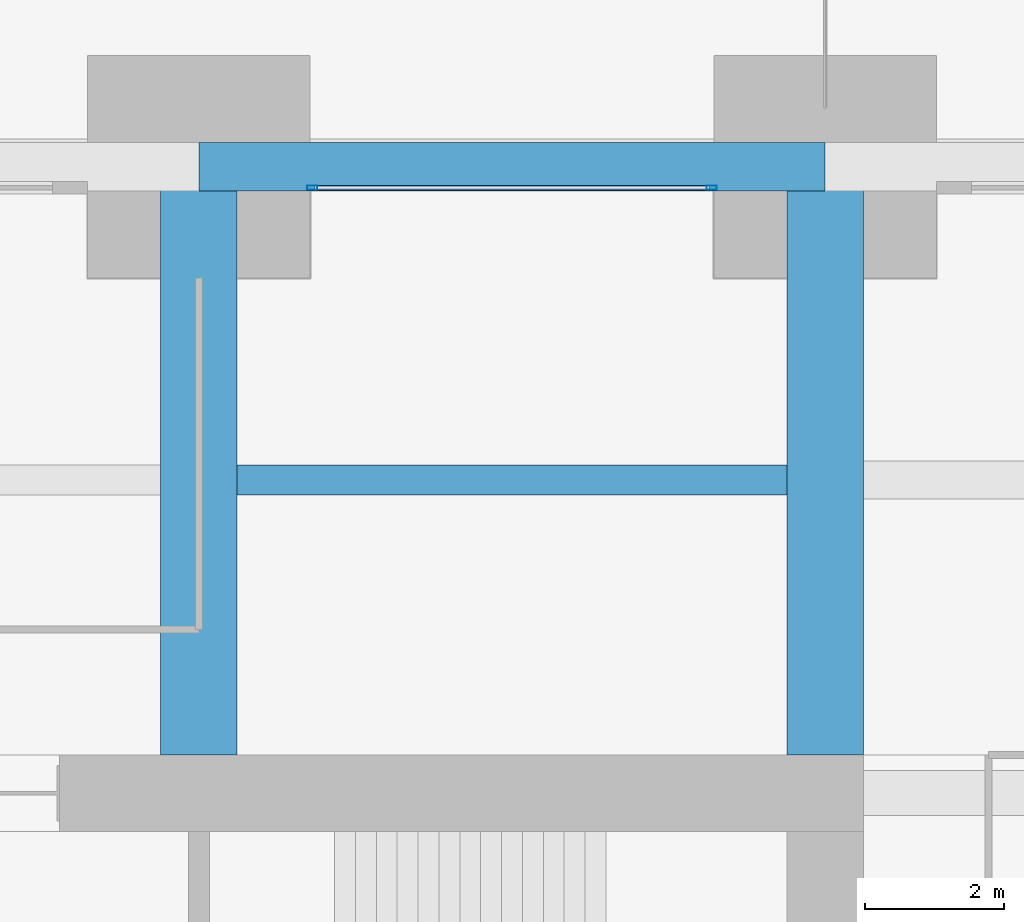
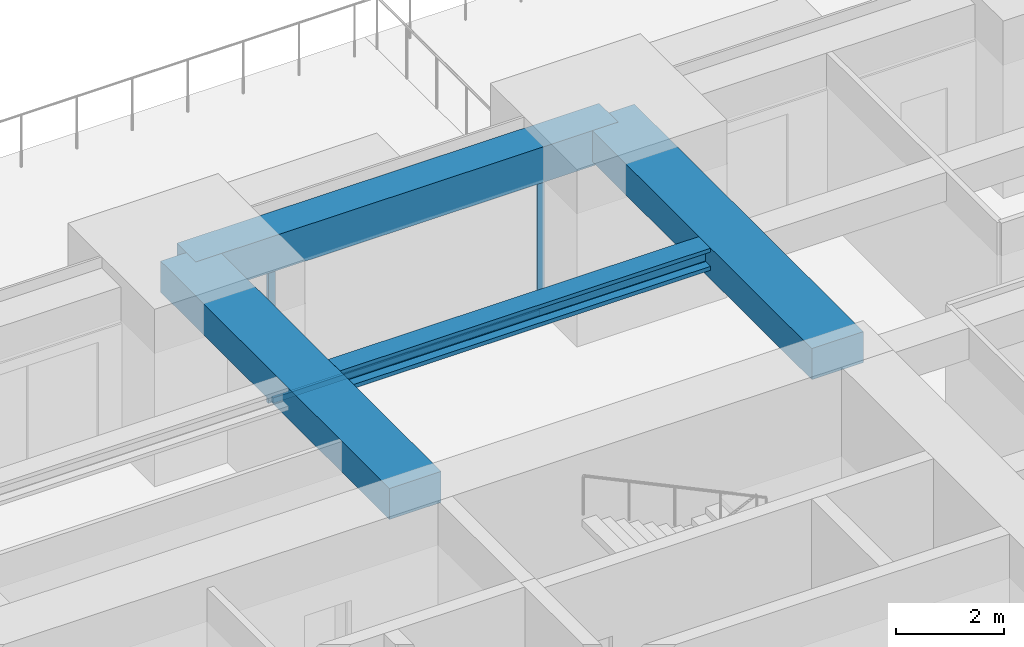
# One storey, part 30 of 50: 4 beams, 3 members, 1 element without a shape of its own.
"""IFC4 building model written with IfcOpenShell, lengths in metres."""

import ifcopenshell
import ifcopenshell.guid

model = None  # the IFC model being written
_history = None  # IfcOwnerHistory: only IFC2X3 demands one
_inside = {}  # id of a spatial element -> (the spatial element, [elements in it])
_under = {}  # id of a project, library or spatial element -> (it, [spatial elements below it])
_declared = {}  # id of a project -> (the project, [libraries it declares])
_typed = {}  # id of a type object -> (the type object, [elements of that type])
_made_of = {}  # id of a material, layer set ... -> (it, [elements and type objects made of it])


def new_model(schema):
    """Start an empty IFC model of exactly this schema.

    Asked for "IFC4X3", IfcOpenShell would pick the latest addendum, in which some entities
    have other attributes; the version numbers below select the first issue.
    IFC2X3 requires an IfcOwnerHistory on every rooted entity: one is made here for all.
    """
    global model, _history
    if schema == "IFC4X3":
        model = ifcopenshell.file(schema_version=(4, 3, 0, 0))
    else:
        model = ifcopenshell.file(schema=schema)
    _inside.clear()
    _under.clear()
    _declared.clear()
    _typed.clear()
    _made_of.clear()
    _history = None
    if model.schema == "IFC2X3":
        org = make("IfcOrganization", Name="unknown")
        user = make(
            "IfcPersonAndOrganization",
            ThePerson=make("IfcPerson", FamilyName="unknown"),
            TheOrganization=org,
        )
        app = make(
            "IfcApplication",
            ApplicationDeveloper=org,
            Version="unknown",
            ApplicationFullName="unknown",
            ApplicationIdentifier="unknown",
        )
        _history = make(
            "IfcOwnerHistory",
            OwningUser=user,
            OwningApplication=app,
            ChangeAction="ADDED",
            CreationDate=0,
        )
    return model


def make(cls, **values):
    """One entity of the class cls with the attributes given. An attribute that is None is left unset."""
    return model.create_entity(
        cls, **{name: value for name, value in values.items() if value is not None}
    )


def rooted(cls, **values):
    """An entity with a GlobalId (a new one), such as an element, a storey or a relation."""
    return make(cls, GlobalId=ifcopenshell.guid.new(), OwnerHistory=_history, **values)


def si_unit(unit_type, name, prefix=None):
    """IfcSIUnit, for example si_unit("LENGTHUNIT", "METRE", prefix="MILLI")."""
    return make("IfcSIUnit", UnitType=unit_type, Prefix=prefix, Name=name)


def assignment(units):
    """IfcUnitAssignment: the units of a project."""
    return None if units is None else make("IfcUnitAssignment", Units=units)


def point(xyz):
    """IfcCartesianPoint."""
    return None if xyz is None else make("IfcCartesianPoint", Coordinates=xyz)


def direction(xyz):
    """IfcDirection."""
    return None if xyz is None else make("IfcDirection", DirectionRatios=xyz)


def frame(location, z_axis=None, x_axis=None):
    """IfcAxis2Placement3D, a coordinate frame: its origin and axes. An axis left out is left unset."""
    return make(
        "IfcAxis2Placement3D",
        Location=point(location),
        Axis=direction(z_axis),
        RefDirection=direction(x_axis),
    )


def frame_2d(location, x_axis=None):
    """IfcAxis2Placement2D, a coordinate frame in the plane: its origin and x axis."""
    return make(
        "IfcAxis2Placement2D", Location=point(location), RefDirection=direction(x_axis)
    )


def origin():
    """The frame at (0, 0, 0) with its axes left unset."""
    return frame((0.0, 0.0, 0.0))


def origin_2d():
    """The frame at (0, 0) in the plane with its x axis left unset."""
    return frame_2d((0.0, 0.0))


def place(relative_to, where):
    """IfcLocalPlacement: puts the frame where relative to a parent placement (None: the world)."""
    return make(
        "IfcLocalPlacement", PlacementRelTo=relative_to, RelativePlacement=where
    )


def context(
    kind, dimensions, precision=None, world=None, true_north=None, identifier=None
):
    """IfcGeometricRepresentationContext, for example the 3D "Model" context."""
    return make(
        "IfcGeometricRepresentationContext",
        ContextIdentifier=identifier,
        ContextType=kind,
        CoordinateSpaceDimension=dimensions,
        Precision=precision,
        WorldCoordinateSystem=world,
        TrueNorth=true_north,
    )


def subcontext(parent, identifier, kind, view, scale=None):
    """IfcGeometricRepresentationSubContext, for example "Body" below "Model"."""
    return make(
        "IfcGeometricRepresentationSubContext",
        ContextIdentifier=identifier,
        ContextType=kind,
        ParentContext=parent,
        TargetScale=scale,
        TargetView=view,
    )


def project(units=None, contexts=None):
    """IfcProject with its units and contexts."""
    return rooted(
        "IfcProject",
        Name="project",
        RepresentationContexts=contexts,
        UnitsInContext=assignment(units),
    )


def spatial(cls, under=None, at=None, **own):
    """A site, building, storey or space (cls), placed at a placement, below another one or the project."""
    s = rooted(cls, ObjectPlacement=at, **own)
    if under is not None:
        _under.setdefault(under.id(), (under, []))[1].append(s)
    return s


def profile(cls, at=None, kind="AREA", **sizes):
    """A parametric profile (cls). Its sizes go by their IFC names, for example OverallWidth=200.0."""
    return make(cls, ProfileType=kind, Position=at, **sizes)


def rectangle(**sizes):
    """IfcRectangleProfileDef."""
    return profile("IfcRectangleProfileDef", **sizes)


def hollow_rectangle(**sizes):
    """IfcRectangleHollowProfileDef."""
    return profile("IfcRectangleHollowProfileDef", **sizes)


def i_section(**sizes):
    """IfcIShapeProfileDef."""
    return profile("IfcIShapeProfileDef", **sizes)


def extrude(swept, where, along, depth):
    """IfcExtrudedAreaSolid: the profile swept, set in the frame where, extruded along a direction by depth."""
    return make(
        "IfcExtrudedAreaSolid",
        SweptArea=swept,
        Position=where,
        ExtrudedDirection=direction(along),
        Depth=depth,
    )


def shape(context_of_items, identifier, shape_type, items):
    """IfcShapeRepresentation: the items that make up one representation, for example the "Body"."""
    return make(
        "IfcShapeRepresentation",
        ContextOfItems=context_of_items,
        RepresentationIdentifier=identifier,
        RepresentationType=shape_type,
        Items=items,
    )


def material(Name=None, Category=None):
    """IfcMaterial."""
    return make("IfcMaterial", Name=Name, Category=Category)


def material_profile(
    of_material, cross_section, Name=None, Category=None, Priority=None
):
    """IfcMaterialProfile: a cross section and its material."""
    return make(
        "IfcMaterialProfile",
        Name=Name,
        Material=of_material,
        Profile=cross_section,
        Priority=Priority,
        Category=Category,
    )


def profile_set(profiles, Name=None, composite=None):
    """IfcMaterialProfileSet."""
    return make(
        "IfcMaterialProfileSet",
        Name=Name,
        MaterialProfiles=profiles,
        CompositeProfile=composite,
    )


def made_of(thing, what):
    """Note that an element or type object is made of a material, layer set ...; save() writes the relation."""
    if what is not None:
        _made_of.setdefault(what.id(), (what, []))[1].append(thing)
    return thing


def type_object(cls, material=None, **own):
    """A type object (cls), such as IfcWallType, which elements share."""
    return made_of(rooted(cls, **own), material)


def element(
    cls,
    number,
    at=None,
    inside=None,
    cuts=None,
    type_object=None,
    material=None,
    context=None,
    identifier="Body",
    shape_type=None,
    held_by="IfcProductDefinitionShape",
    body=None,
    shapes=None,
    **own,
):
    """One element of the class cls, such as IfcWall. Its Tag is "e" and its number.

    at: its placement. inside: the storey or other place that contains it. cuts: it is an
    opening in that element (IfcRelVoidsElement). A single representation is given by context,
    identifier, shape_type and body (its items); several are given by shapes. held_by: the class
    of the entity that holds the representations. save() writes the other relations.
    """
    e = rooted(cls, Tag="e%d" % number, ObjectPlacement=at, **own)
    if body is not None:
        shapes = [shape(context, identifier, shape_type, body)]
    if shapes is not None:
        e.Representation = make(held_by, Representations=shapes)
    if inside is not None:
        _inside.setdefault(inside.id(), (inside, []))[1].append(e)
    if cuts is not None:
        rooted(
            "IfcRelVoidsElement", RelatingBuildingElement=cuts, RelatedOpeningElement=e
        )
    if type_object is not None:
        _typed.setdefault(type_object.id(), (type_object, []))[1].append(e)
    return made_of(e, material)


def aggregate(whole, parts):
    """IfcRelAggregates: a whole, such as a stair, and the parts it consists of."""
    return rooted("IfcRelAggregates", RelatingObject=whole, RelatedObjects=parts)


def save(model, path):
    """Write the relations noted so far, then the file.

    IfcRelAggregates (storeys below a building ...), IfcRelContainedInSpatialStructure (elements
    in a storey), IfcRelDefinesByType, IfcRelAssociatesMaterial and IfcRelDeclares: one each for
    every whole, place, type object, material and project.
    """
    for whole, parts in _under.values():
        aggregate(whole, parts)
    for where, things in _inside.values():
        rooted(
            "IfcRelContainedInSpatialStructure",
            RelatedElements=things,
            RelatingStructure=where,
        )
    for kind, things in _typed.values():
        rooted("IfcRelDefinesByType", RelatedObjects=things, RelatingType=kind)
    for what, things in _made_of.values():
        rooted("IfcRelAssociatesMaterial", RelatedObjects=things, RelatingMaterial=what)
    for by, libraries in _declared.values():
        rooted("IfcRelDeclares", RelatingContext=by, RelatedDefinitions=libraries)
    model.write(path)


model = new_model("IFC4")

# Units and contexts
model_context = context("Model", 3, precision=1e-05, world=origin(), true_north=direction((0.0, 1.0)))
body_context = subcontext(model_context, "Body", "Model", "MODEL_VIEW")
ifc_project = project(units=[si_unit("LENGTHUNIT", "METRE"), si_unit("AREAUNIT", "SQUARE_METRE"), si_unit("VOLUMEUNIT", "CUBIC_METRE"), si_unit("PLANEANGLEUNIT", "RADIAN"), si_unit("MASSUNIT", "GRAM", prefix="KILO")], contexts=[model_context])

# Site, building, storey
site_placement = place(None, origin())
site = spatial("IfcSite", under=ifc_project, at=site_placement, CompositionType="ELEMENT")
building_placement = place(site_placement, origin())
building = spatial("IfcBuilding", under=site, at=building_placement, Name="Zorevar Civic Tower", CompositionType="ELEMENT")
storey_placement = place(building_placement, frame((0.0, 0.0, 85.0)))
storey = spatial("IfcBuildingStorey", under=building, at=storey_placement, Name="L20", CompositionType="ELEMENT", Elevation=85.0)

# Beams
ifc_material_1 = material(Name="Concrete C50/60", Category="concrete")
ifc_material_profile_1 = material_profile(ifc_material_1, rectangle(XDim=1.10009765625, YDim=0.699951171875, at=origin_2d()), Name="RC 1100x700")
ifc_profile_set_1 = profile_set([ifc_material_profile_1], Name="Concrete C50/60")
beam_type_1 = type_object("IfcBeamType", Name="Beam RC 1100x700", PredefinedType="BEAM", material=ifc_profile_set_1)
for number, where, z_axis, x_axis, name in (
    (1, (36.0, 36.550048828125, 3.39990234375), (0.0, 1.0, 0.0), (-1.0, 0.0, 0.0), "Girder L21"),
    (2, (45.0, 36.550048828125, 3.39990234375), (0.0, 1.0, 0.0), (-1.0, 0.0, 0.0), "Girder L21"),
):
    element("IfcBeam", number, at=place(storey_placement, frame(where, z_axis=z_axis, x_axis=x_axis)), inside=storey, type_object=beam_type_1, Name=name, PredefinedType="BEAM", context=body_context, shape_type="SweptSolid", body=[
        extrude(rectangle(XDim=1.10009765625, YDim=0.699951171875, at=origin_2d()), origin(), (0.0, 0.0, 1.0), 8.449951171875),
    ])

# Curtain wall, members
ifc_material_2 = material(Name="Dark grey solar-control glass in black aluminium frame", Category="aluminium")
curtain_wall_type = type_object("IfcCurtainWallType", Name="Curtain wall CW3 mid zone", PredefinedType="NOTDEFINED", material=ifc_material_2)
curtain_wall_placement = place(storey_placement, origin())
curtain_wall = element("IfcCurtainWall", 3, at=curtain_wall_placement, inside=storey, type_object=curtain_wall_type, Name="CW3 L20", PredefinedType="NOTDEFINED")
ifc_material_3 = material(Name="Aluminium, black anodised", Category="aluminium")
ifc_material_profile_2 = material_profile(ifc_material_3, hollow_rectangle(XDim=0.06005859375, YDim=0.14990234375, WallThickness=0.00390625, at=origin_2d()), Name="AL 150x60x4")
ifc_profile_set_2 = profile_set([ifc_material_profile_2], Name="Aluminium, black anodised")
member_type_1 = type_object("IfcMemberType", Name="CW3 mullion AL 150x60x4", PredefinedType="MULLION", material=ifc_profile_set_2)
member_1_placement = place(storey_placement, frame((37.6298828125, 44.699951171875, 0.0), z_axis=(0.0, 0.0, 1.0), x_axis=(0.0, 1.0, 0.0)))
member_1 = element("IfcMember", 4, at=member_1_placement, type_object=member_type_1, Name="CW3 mullion 1", PredefinedType="MULLION", context=body_context, shape_type="SweptSolid", body=[
    extrude(hollow_rectangle(XDim=0.06005859375, YDim=0.14990234375, WallThickness=0.00390625, at=origin_2d()), origin(), (0.0, 0.0, 1.0), 2.949951171875),
])
member_2_placement = place(storey_placement, frame((43.3701171875, 44.699951171875, 0.0), z_axis=(0.0, 0.0, 1.0), x_axis=(0.0, 1.0, 0.0)))
member_2 = element("IfcMember", 5, at=member_2_placement, type_object=member_type_1, Name="CW3 mullion 2", PredefinedType="MULLION", context=body_context, shape_type="SweptSolid", body=[
    extrude(hollow_rectangle(XDim=0.06005859375, YDim=0.14990234375, WallThickness=0.00390625, at=origin_2d()), origin(), (0.0, 0.0, 1.0), 2.949951171875),
])
ifc_material_4 = material(Name="Aluminium, black anodised", Category="aluminium")
ifc_material_profile_3 = material_profile(ifc_material_4, hollow_rectangle(XDim=0.06005859375, YDim=0.1201171875, WallThickness=0.0029296875, at=origin_2d()), Name="AL 120x60x3")
ifc_profile_set_3 = profile_set([ifc_material_profile_3], Name="Aluminium, black anodised")
member_type_2 = type_object("IfcMemberType", Name="CW3 transom AL 120x60x3", PredefinedType="USERDEFINED", material=ifc_profile_set_3)
member_3_placement = place(storey_placement, frame((37.659912109375, 44.699951171875, 0.030029296875), z_axis=(1.0, 0.0, 0.0), x_axis=(0.0, 1.0, 0.0)))
member_3 = element("IfcMember", 6, at=member_3_placement, type_object=member_type_2, Name="CW3 sill transom", ObjectType="TRANSOM", PredefinedType="USERDEFINED", context=body_context, shape_type="SweptSolid", body=[
    extrude(hollow_rectangle(XDim=0.06005859375, YDim=0.1201171875, WallThickness=0.0029296875, at=origin_2d()), origin(), (0.0, 0.0, 1.0), 5.68017578125),
])
aggregate(curtain_wall, [member_1, member_2, member_3])

# Beams
ifc_material_5 = material(Name="Steel S460M (HISTAR 460)", Category="steel")
ifc_material_profile_4 = material_profile(ifc_material_5, i_section(OverallWidth=0.431884765625, OverallDepth=0.498046875, WebThickness=0.0556640625, FlangeThickness=0.0888671875, FilletRadius=0.014892578125, at=origin_2d()), Name="HD 400x744")
ifc_profile_set_4 = profile_set([ifc_material_profile_4], Name="Steel S460M (HISTAR 460)")
beam_type_2 = type_object("IfcBeamType", Name="Core bay beam HD 400x744", PredefinedType="BEAM", material=ifc_profile_set_4)
beam_1_placement = place(storey_placement, frame((36.550048828125, 40.5, 3.5009765625), z_axis=(1.0, 0.0, 0.0), x_axis=(0.0, 1.0, 0.0)))
element("IfcBeam", 7, at=beam_1_placement, inside=storey, type_object=beam_type_2, Name="Secondary beam L21", PredefinedType="BEAM", context=body_context, shape_type="SweptSolid", body=[
    extrude(i_section(OverallWidth=0.431884765625, OverallDepth=0.498046875, WebThickness=0.0556640625, FlangeThickness=0.0888671875, FilletRadius=0.014892578125, at=origin_2d()), origin(), (0.0, 0.0, 1.0), 7.89990234375),
])
ifc_material_6 = material(Name="Concrete C50/60", Category="concrete")
ifc_material_profile_5 = material_profile(ifc_material_6, rectangle(XDim=0.699951171875, YDim=0.800048828125, at=origin_2d()), Name="RC 700x800")
ifc_profile_set_5 = profile_set([ifc_material_profile_5], Name="Concrete C50/60")
beam_type_3 = type_object("IfcBeamType", Name="Edge beam RC 700x800", PredefinedType="SPANDREL", material=ifc_profile_set_5)
beam_2_placement = place(storey_placement, frame((36.0, 45.0, 3.35009765625), z_axis=(1.0, 0.0, 0.0), x_axis=(0.0, 1.0, 0.0)))
element("IfcBeam", 8, at=beam_2_placement, inside=storey, type_object=beam_type_3, Name="Edge beam L21", PredefinedType="SPANDREL", context=body_context, shape_type="SweptSolid", body=[
    extrude(rectangle(XDim=0.699951171875, YDim=0.800048828125, at=origin_2d()), origin(), (0.0, 0.0, 1.0), 9.0),
])

save(model, "model.ifc")
